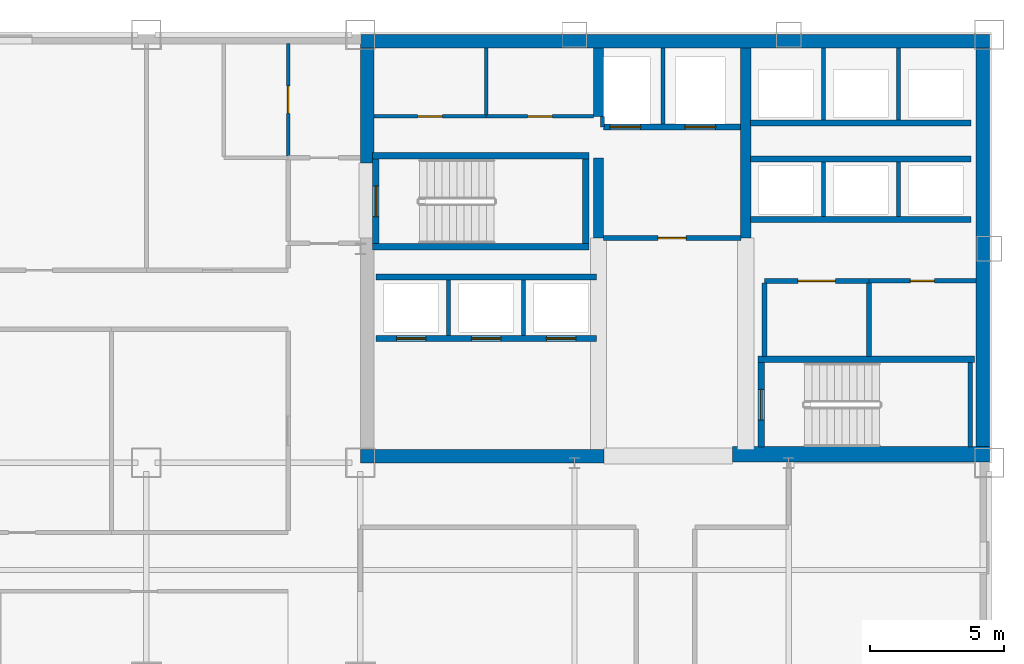
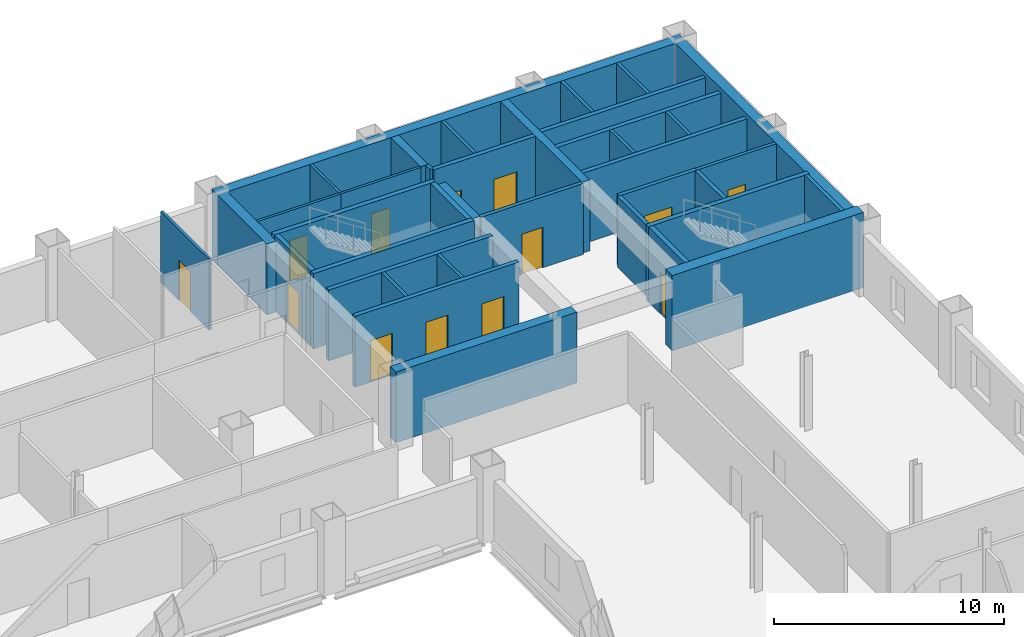
# One storey, part 7 of 10: 38 walls, 13 doors, 13 openings.
"""IFC4 building model written with IfcOpenShell, lengths in metres."""

from ifc_helpers import new_model, si_unit, direction, frame, frame_2d, origin, place, context, subcontext, project, spatial, rectangle, extrude, material, layer, layer_set, type_object, element, fill, save


model = new_model("IFC4")

# Units and contexts
model_context = context("Model", 3, precision=1e-05, world=origin(), true_north=direction((0.0, 1.0)))
body_context = subcontext(model_context, "Body", "Model", "MODEL_VIEW")
ifc_project = project(units=[si_unit("LENGTHUNIT", "METRE"), si_unit("AREAUNIT", "SQUARE_METRE"), si_unit("VOLUMEUNIT", "CUBIC_METRE"), si_unit("PLANEANGLEUNIT", "RADIAN"), si_unit("MASSUNIT", "GRAM", prefix="KILO")], contexts=[model_context])

# Site, building, storey
site_placement = place(None, origin())
site = spatial("IfcSite", under=ifc_project, at=site_placement, CompositionType="ELEMENT")
building_placement = place(site_placement, origin())
building = spatial("IfcBuilding", under=site, at=building_placement, Name="Qianrong Seaharbour Tower", CompositionType="ELEMENT")
storey_placement = place(building_placement, frame((0.0, 0.0, 135.0)))
storey = spatial("IfcBuildingStorey", under=building, at=storey_placement, Name="L32", CompositionType="ELEMENT", Elevation=135.0)

# Walls
ifc_material_1 = material(Name="Concrete C60/75", Category="concrete")
ifc_layer_1 = layer(ifc_material_1, 0.5)
ifc_layer_set_1 = layer_set([ifc_layer_1], Name="Concrete C60/75")
wall_type_1 = type_object("IfcWallType", Name="WALL-CORE-500", PredefinedType="SHEAR", material=ifc_layer_set_1)
wall_1_placement = place(storey_placement, frame((40.5, 51.75, 0.0), z_axis=(0.0, 0.0, 1.0), x_axis=(1.0, 0.0, 0.0)))
element("IfcWall", 1, at=wall_1_placement, inside=storey, type_object=wall_type_1, Name="L32 North Core Shear Wall", PredefinedType="SHEAR", context=body_context, shape_type="SweptSolid", body=[
    extrude(rectangle(XDim=23.5, YDim=0.5, at=frame_2d((11.75, 0.0))), origin(), (0.0, 0.0, 1.0), 3.764892578125),
])
wall_2_placement = place(storey_placement, frame((63.75, 36.320068359375, 0.0), z_axis=(0.0, 0.0, 1.0), x_axis=(0.0, 1.0, 0.0)))
element("IfcWall", 2, at=wall_2_placement, inside=storey, type_object=wall_type_1, Name="L32 East Core Shear Wall", PredefinedType="SHEAR", context=body_context, shape_type="SweptSolid", body=[
    extrude(rectangle(XDim=15.179931640625, YDim=0.5, at=frame_2d((7.58984375, 0.0))), origin(), (0.0, 0.0, 1.0), 3.764892578125),
])
wall_3_placement = place(storey_placement, frame((40.75, 47.199951171875, 0.0), z_axis=(0.0, 0.0, 1.0), x_axis=(0.0, 1.0, 0.0)))
element("IfcWall", 3, at=wall_3_placement, inside=storey, type_object=wall_type_1, Name="L32 West Core Shear Wall North", PredefinedType="SHEAR", context=body_context, shape_type="SweptSolid", body=[
    extrude(rectangle(XDim=4.300048828125, YDim=0.5, at=frame_2d((2.14990234375, 0.0))), origin(), (0.0, 0.0, 1.0), 3.764892578125),
])
wall_4_placement = place(storey_placement, frame((40.5, 36.25, 0.0), z_axis=(0.0, 0.0, 1.0), x_axis=(1.0, 0.0, 0.0)))
element("IfcWall", 4, at=wall_4_placement, inside=storey, type_object=wall_type_1, Name="L32 South Core Shear Wall S1", PredefinedType="SHEAR", context=body_context, shape_type="SweptSolid", body=[
    extrude(rectangle(XDim=9.10009765625, YDim=0.5, at=frame_2d((4.550048828125, 0.0))), origin(), (0.0, 0.0, 1.0), 3.764892578125),
])
ifc_material_2 = material(Name="Concrete C70/85", Category="concrete")
ifc_layer_2 = layer(ifc_material_2, 0.580078125)
ifc_layer_set_2 = layer_set([ifc_layer_2], Name="Concrete C70/85")
wall_type_2 = type_object("IfcWallType", Name="WALL-CORE-580", PredefinedType="SHEAR", material=ifc_layer_set_2)
wall_5_placement = place(storey_placement, frame((54.39990234375, 36.320068359375, 0.0), z_axis=(0.0, 0.0, 1.0), x_axis=(1.0, 0.0, 0.0)))
element("IfcWall", 5, at=wall_5_placement, inside=storey, type_object=wall_type_2, Name="L32 South Core Shear Wall S3", PredefinedType="SHEAR", context=body_context, shape_type="SweptSolid", body=[
    extrude(rectangle(XDim=9.60009765625, YDim=0.580078125, at=frame_2d((4.800048828125, 0.0))), origin(), (0.0, 0.0, 1.0), 4.0),
])
ifc_layer_3 = layer(ifc_material_1, 0.3798828125)
ifc_layer_set_3 = layer_set([ifc_layer_3], Name="Concrete C60/75")
wall_type_3 = type_object("IfcWallType", Name="WALL-CORE-INT-380", PredefinedType="SHEAR", material=ifc_layer_set_3)
wall_6_placement = place(storey_placement, frame((49.39990234375, 44.39990234375, 0.0), z_axis=(0.0, 0.0, 1.0), x_axis=(0.0, 1.0, 0.0)))
element("IfcWall", 6, at=wall_6_placement, inside=storey, type_object=wall_type_3, Name="L32 Internal Core Shear Wall IW1N1", PredefinedType="SHEAR", context=body_context, shape_type="SweptSolid", body=[
    extrude(rectangle(XDim=3.0, YDim=0.3798828125, at=frame_2d((1.5, 0.0))), origin(), (0.0, 0.0, 1.0), 3.764892578125),
])
wall_7_placement = place(storey_placement, frame((49.39990234375, 48.949951171875, 0.0), z_axis=(0.0, 0.0, 1.0), x_axis=(0.0, 1.0, 0.0)))
element("IfcWall", 7, at=wall_7_placement, inside=storey, type_object=wall_type_3, Name="L32 Internal Core Shear Wall IW1N2", PredefinedType="SHEAR", context=body_context, shape_type="SweptSolid", body=[
    extrude(rectangle(XDim=2.550048828125, YDim=0.3798828125, at=frame_2d((1.27490234375, 0.0))), origin(), (0.0, 0.0, 1.0), 3.764892578125),
])
wall_8_placement = place(storey_placement, frame((54.89990234375, 44.39990234375, 0.0), z_axis=(0.0, 0.0, 1.0), x_axis=(0.0, 1.0, 0.0)))
element("IfcWall", 8, at=wall_8_placement, inside=storey, type_object=wall_type_3, Name="L32 Internal Core Shear Wall IW2N", PredefinedType="SHEAR", context=body_context, shape_type="SweptSolid", body=[
    extrude(rectangle(XDim=7.10009765625, YDim=0.3798828125, at=frame_2d((3.550048828125, 0.0))), origin(), (0.0, 0.0, 1.0), 3.764892578125),
])

# Wall, opening, door
ifc_material_3 = material(Name="Fire-rated acoustic gypsum board partition")
ifc_layer_4 = layer(ifc_material_3, 0.1650390625)
ifc_layer_set_4 = layer_set([ifc_layer_4], Name="Fire-rated acoustic gypsum board partition")
wall_type_4 = type_object("IfcWallType", Name="WALL-CORR-PART-165", PredefinedType="PARTITIONING", material=ifc_layer_set_4)
wall_9_placement = place(storey_placement, frame((63.5, 42.800048828125, 0.0), z_axis=(0.0, 0.0, 1.0), x_axis=(-1.0, 0.0, 0.0)))
wall_9 = element("IfcWall", 9, at=wall_9_placement, inside=storey, type_object=wall_type_4, Name="L32 Interior Partition Wall 012", PredefinedType="PARTITIONING", context=body_context, shape_type="SweptSolid", body=[
    extrude(rectangle(XDim=4.0, YDim=0.1650390625, at=frame_2d((2.0, 0.0))), origin(), (0.0, 0.0, 1.0), 3.764892578125),
])
opening_1_placement = place(wall_9_placement, frame((1.550048828125, 0.0, 0.0)))
opening_1 = element("IfcOpeningElement", 10, at=opening_1_placement, cuts=wall_9, Name="Opening DS-01", PredefinedType="OPENING", context=body_context, shape_type="SweptSolid", body=[
    extrude(rectangle(XDim=0.89990234375, YDim=2.14990234375, at=frame_2d((0.449951171875, 1.074951171875))), frame((0.0, 0.092529296875, 0.0), z_axis=(0.0, -1.0, 0.0), x_axis=(1.0, 0.0, 0.0)), (0.0, 0.0, 1.0), 0.18505859375),
])
ifc_material_4 = material(Name="Acoustic timber and galvanized steel fire door assembly", Category="steel")
door_type_1 = type_object("IfcDoorType", Name="DOOR-STORE-900x2150", OperationType="NOTDEFINED", PredefinedType="DOOR", material=ifc_material_4)
door_1_placement = place(opening_1_placement, origin())
door_1 = element("IfcDoor", 11, at=door_1_placement, inside=storey, type_object=door_type_1, Name="L32 Cleaner Store Room Door", OperationType="SINGLE_SWING_LEFT", OverallHeight=2.14990234375, OverallWidth=0.89990234375, PredefinedType="DOOR", context=body_context, shape_type="SweptSolid", body=[
    extrude(rectangle(XDim=0.89990234375, YDim=2.14990234375, at=frame_2d((0.449951171875, 1.074951171875))), frame((0.0, 0.02490234375, 0.0), z_axis=(0.0, -1.0, 0.0), x_axis=(1.0, 0.0, 0.0)), (0.0, 0.0, 1.0), 0.050048828125),
])
fill(opening_1, door_1)

ifc_material_5 = material(Name="Double fire-rated gypsum board acoustic partition")
ifc_layer_5 = layer(ifc_material_5, 0.18994140625)
ifc_layer_set_5 = layer_set([ifc_layer_5], Name="Double fire-rated gypsum board acoustic partition")
wall_type_5 = type_object("IfcWallType", Name="WALL-FIRE-PART-190", PredefinedType="PARTITIONING", material=ifc_layer_set_5)
wall_10_placement = place(storey_placement, frame((54.718017578125, 44.39990234375, 0.0), z_axis=(0.0, 0.0, 1.0), x_axis=(-1.0, 0.0, 0.0)))
wall_10 = element("IfcWall", 12, at=wall_10_placement, inside=storey, type_object=wall_type_5, Name="L32 Interior Partition Wall 009", PredefinedType="PARTITIONING", context=body_context, shape_type="SweptSolid", body=[
    extrude(rectangle(XDim=5.135986328125, YDim=0.18994140625, at=frame_2d((2.56787109375, 0.0))), origin(), (0.0, 0.0, 1.0), 3.764892578125),
])
opening_2_placement = place(wall_10_placement, frame((2.04296875, 0.0, 0.0)))
opening_2 = element("IfcOpeningElement", 13, at=opening_2_placement, cuts=wall_10, Name="Opening DC-01", PredefinedType="OPENING", context=body_context, shape_type="SweptSolid", body=[
    extrude(rectangle(XDim=1.050048828125, YDim=2.14990234375, at=frame_2d((0.52490234375, 1.074951171875))), frame((0.0, 0.10498046875, 0.0), z_axis=(0.0, -1.0, 0.0), x_axis=(1.0, 0.0, 0.0)), (0.0, 0.0, 1.0), 0.2099609375),
])
door_type_2 = type_object("IfcDoorType", Name="DOOR-CORR-FD60-1050x2150", OperationType="NOTDEFINED", PredefinedType="DOOR", material=ifc_material_4)
door_2_placement = place(opening_2_placement, origin())
door_2 = element("IfcDoor", 14, at=door_2_placement, inside=storey, type_object=door_type_2, Name="L32 Firefighting Lift Lobby Door", OperationType="SINGLE_SWING_RIGHT", OverallHeight=2.14990234375, OverallWidth=1.050048828125, PredefinedType="DOOR", context=body_context, shape_type="SweptSolid", body=[
    extrude(rectangle(XDim=1.050048828125, YDim=2.14990234375, at=frame_2d((0.52490234375, 1.074951171875))), frame((0.0, 0.02490234375, 0.0), z_axis=(0.0, -1.0, 0.0), x_axis=(1.0, 0.0, 0.0)), (0.0, 0.0, 1.0), 0.050048828125),
])
fill(opening_2, door_2)

# Wall
wall_11_placement = place(storey_placement, frame((55.60009765625, 42.712890625, 0.0), z_axis=(0.0, 0.0, 1.0), x_axis=(0.0, -1.0, 0.0)))
element("IfcWall", 15, at=wall_11_placement, inside=storey, type_object=wall_type_5, Name="L32 Interior Partition Wall 010", PredefinedType="PARTITIONING", context=body_context, shape_type="SweptSolid", body=[
    extrude(rectangle(XDim=2.73095703125, YDim=0.18994140625, at=frame_2d((1.365478515625, 0.0))), origin(), (0.0, 0.0, 1.0), 3.764892578125),
])

# Wall, opening, door
wall_12_placement = place(storey_placement, frame((59.5, 42.800048828125, 0.0), z_axis=(0.0, 0.0, 1.0), x_axis=(-1.0, 0.0, 0.0)))
wall_12 = element("IfcWall", 16, at=wall_12_placement, inside=storey, type_object=wall_type_5, Name="L32 Interior Partition Wall 011", PredefinedType="PARTITIONING", context=body_context, shape_type="SweptSolid", body=[
    extrude(rectangle(XDim=3.89990234375, YDim=0.18994140625, at=frame_2d((1.949951171875, 0.0))), origin(), (0.0, 0.0, 1.0), 3.764892578125),
])
opening_3_placement = place(wall_12_placement, frame((1.25, 0.0, 0.0)))
opening_3 = element("IfcOpeningElement", 17, at=opening_3_placement, cuts=wall_12, Name="Opening DP-01", PredefinedType="OPENING", context=body_context, shape_type="SweptSolid", body=[
    extrude(rectangle(XDim=1.39990234375, YDim=2.25, at=frame_2d((0.699951171875, 1.125))), frame((0.0, 0.10498046875, 0.0), z_axis=(0.0, -1.0, 0.0), x_axis=(1.0, 0.0, 0.0)), (0.0, 0.0, 1.0), 0.2099609375),
])
door_type_3 = type_object("IfcDoorType", Name="DOOR-PLANT-PAIR-1400x2250", OperationType="DOUBLE_DOOR_SINGLE_SWING", PredefinedType="DOOR", material=ifc_material_4)
door_3_placement = place(opening_3_placement, origin())
door_3 = element("IfcDoor", 18, at=door_3_placement, inside=storey, type_object=door_type_3, Name="L32 Electrical Substation Door", OperationType="DOUBLE_DOOR_SINGLE_SWING", OverallHeight=2.25, OverallWidth=1.39990234375, PredefinedType="DOOR", context=body_context, shape_type="SweptSolid", body=[
    extrude(rectangle(XDim=1.39990234375, YDim=2.25, at=frame_2d((0.699951171875, 1.125))), frame((0.0, 0.02490234375, 0.0), z_axis=(0.0, -1.0, 0.0), x_axis=(1.0, 0.0, 0.0)), (0.0, 0.0, 1.0), 0.050048828125),
])
fill(opening_3, door_3)

# Walls
wall_13_placement = place(storey_placement, frame((59.5, 42.712890625, 0.0), z_axis=(0.0, 0.0, 1.0), x_axis=(0.0, -1.0, 0.0)))
element("IfcWall", 19, at=wall_13_placement, inside=storey, type_object=wall_type_5, Name="L32 Interior Partition Wall 014", PredefinedType="PARTITIONING", context=body_context, shape_type="SweptSolid", body=[
    extrude(rectangle(XDim=2.73095703125, YDim=0.18994140625, at=frame_2d((1.365478515625, 0.0))), origin(), (0.0, 0.0, 1.0), 3.764892578125),
])
ifc_material_6 = material(Name="Fire-rated gypsum board on steel studs", Category="steel")
ifc_layer_6 = layer(ifc_material_6, 0.14990234375)
ifc_layer_set_6 = layer_set([ifc_layer_6], Name="Fire-rated gypsum board on steel studs")
wall_type_6 = type_object("IfcWallType", Name="WALL-SHAFT-DIV-150", PredefinedType="PARTITIONING", material=ifc_layer_set_6)
wall_14_placement = place(storey_placement, frame((51.800048828125, 48.669921875, 0.0), z_axis=(0.0, 0.0, 1.0), x_axis=(0.0, 1.0, 0.0)))
element("IfcWall", 20, at=wall_14_placement, inside=storey, type_object=wall_type_6, Name="L32 Firefighting Lift Shaft Divider Wall", PredefinedType="PARTITIONING", context=body_context, shape_type="SweptSolid", body=[
    extrude(rectangle(XDim=2.830078125, YDim=0.14990234375, at=frame_2d((1.4150390625, 0.0))), origin(), (0.0, 0.0, 1.0), 3.764892578125),
])
wall_15_placement = place(storey_placement, frame((49.550048828125, 48.550048828125, 0.0), z_axis=(0.0, 0.0, 1.0), x_axis=(0.0, 1.0, 0.0)))
element("IfcWall", 21, at=wall_15_placement, inside=storey, type_object=wall_type_6, Name="L32 Firefighting Lift Shaft West Return Wall", PredefinedType="PARTITIONING", context=body_context, shape_type="SweptSolid", body=[
    extrude(rectangle(XDim=0.39990234375, YDim=0.14990234375, at=frame_2d((0.199951171875, 0.0))), origin(), (0.0, 0.0, 1.0), 3.764892578125),
])
for number, where, z_axis, x_axis, name in (
    (22, (43.800048828125, 40.760009765625, 0.0), (0.0, 0.0, 1.0), (0.0, 1.0, 0.0), "L32 P2 Lift Hoistway Divider 2"),
    (23, (46.60009765625, 40.760009765625, 0.0), (0.0, 0.0, 1.0), (0.0, 1.0, 0.0), "L32 P2 Lift Hoistway Divider 3"),
):
    element("IfcWall", number, at=place(storey_placement, frame(where, z_axis=z_axis, x_axis=x_axis)), inside=storey, type_object=wall_type_6, Name=name, PredefinedType="PARTITIONING", context=body_context, shape_type="SweptSolid", body=[
        extrude(rectangle(XDim=2.080078125, YDim=0.14990234375, at=frame_2d((1.0400390625, 0.0))), origin(), (0.0, 0.0, 1.0), 3.764892578125),
    ])
for number, where, z_axis, x_axis, name in (
    (24, (57.800048828125, 45.2099609375, 0.0), (0.0, 0.0, 1.0), (0.0, 1.0, 0.0), "L32 P3 Lift Hoistway Divider 2"),
    (25, (60.60009765625, 45.2099609375, 0.0), (0.0, 0.0, 1.0), (0.0, 1.0, 0.0), "L32 P3 Lift Hoistway Divider 3"),
):
    element("IfcWall", number, at=place(storey_placement, frame(where, z_axis=z_axis, x_axis=x_axis)), inside=storey, type_object=wall_type_6, Name=name, PredefinedType="PARTITIONING", context=body_context, shape_type="SweptSolid", body=[
        extrude(rectangle(XDim=2.030029296875, YDim=0.14990234375, at=frame_2d((1.01513671875, 0.0))), origin(), (0.0, 0.0, 1.0), 3.764892578125),
    ])
for number, where, z_axis, x_axis, name in (
    (26, (57.800048828125, 48.81005859375, 0.0), (0.0, 0.0, 1.0), (0.0, 1.0, 0.0), "L32 P4 Lift Hoistway Divider 2"),
    (27, (60.60009765625, 48.81005859375, 0.0), (0.0, 0.0, 1.0), (0.0, 1.0, 0.0), "L32 P4 Lift Hoistway Divider 3"),
):
    element("IfcWall", number, at=place(storey_placement, frame(where, z_axis=z_axis, x_axis=x_axis)), inside=storey, type_object=wall_type_6, Name=name, PredefinedType="PARTITIONING", context=body_context, shape_type="SweptSolid", body=[
        extrude(rectangle(XDim=2.68994140625, YDim=0.14990234375, at=frame_2d((1.344970703125, 0.0))), origin(), (0.0, 0.0, 1.0), 3.764892578125),
    ])

# Wall, openings, doors
ifc_layer_7 = layer(ifc_material_6, 0.219970703125)
ifc_layer_set_7 = layer_set([ifc_layer_7], Name="Fire-rated gypsum board on steel studs")
wall_type_7 = type_object("IfcWallType", Name="WALL-SHAFT-GYP220", PredefinedType="PARTITIONING", material=ifc_layer_set_7)
wall_16_placement = place(storey_placement, frame((54.7099609375, 48.550048828125, 0.0), z_axis=(0.0, 0.0, 1.0), x_axis=(-1.0, 0.0, 0.0)))
wall_16 = element("IfcWall", 28, at=wall_16_placement, inside=storey, type_object=wall_type_7, Name="L32 Firefighting Lift Shaft Front Wall", PredefinedType="PARTITIONING", context=body_context, shape_type="SweptSolid", body=[
    extrude(rectangle(XDim=5.119873046875, YDim=0.219970703125, at=frame_2d((2.56005859375, 0.0))), origin(), (0.0, 0.0, 1.0), 3.764892578125),
])
opening_4_placement = place(wall_16_placement, frame((3.735107421875, 0.0, 0.0)))
opening_4 = element("IfcOpeningElement", 29, at=opening_4_placement, cuts=wall_16, Name="Opening LD-01", PredefinedType="OPENING", context=body_context, shape_type="SweptSolid", body=[
    extrude(rectangle(XDim=1.14990234375, YDim=2.199951171875, at=frame_2d((0.574951171875, 1.10009765625))), frame((0.0, 0.1201171875, 0.0), z_axis=(0.0, -1.0, 0.0), x_axis=(1.0, 0.0, 0.0)), (0.0, 0.0, 1.0), 0.239990234375),
])
opening_5_placement = place(wall_16_placement, frame((0.93505859375, 0.0, 0.0)))
opening_5 = element("IfcOpeningElement", 30, at=opening_5_placement, cuts=wall_16, Name="Opening LD-01", PredefinedType="OPENING", context=body_context, shape_type="SweptSolid", body=[
    extrude(rectangle(XDim=1.14990234375, YDim=2.199951171875, at=frame_2d((0.574951171875, 1.10009765625))), frame((0.0, 0.1201171875, 0.0), z_axis=(0.0, -1.0, 0.0), x_axis=(1.0, 0.0, 0.0)), (0.0, 0.0, 1.0), 0.239990234375),
])
ifc_material_7 = material(Name="Stainless steel SUS316L bi-parting lift landing door", Category="steel")
door_type_4 = type_object("IfcDoorType", Name="DOOR-LIFT-FF-1150x2200", OperationType="DOUBLE_DOOR_SLIDING", PredefinedType="DOOR", material=ifc_material_7)
door_4_placement = place(opening_4_placement, origin())
door_4 = element("IfcDoor", 31, at=door_4_placement, inside=storey, type_object=door_type_4, Name="L32 FL-1 Firefighting Lift Landing Door", OperationType="DOUBLE_DOOR_SLIDING", OverallHeight=2.199951171875, OverallWidth=1.14990234375, PredefinedType="DOOR", context=body_context, shape_type="SweptSolid", body=[
    extrude(rectangle(XDim=1.14990234375, YDim=2.199951171875, at=frame_2d((0.574951171875, 1.10009765625))), frame((0.0, 0.02490234375, 0.0), z_axis=(0.0, -1.0, 0.0), x_axis=(1.0, 0.0, 0.0)), (0.0, 0.0, 1.0), 0.050048828125),
])
fill(opening_4, door_4)
door_5_placement = place(opening_5_placement, origin())
door_5 = element("IfcDoor", 32, at=door_5_placement, inside=storey, type_object=door_type_4, Name="L32 FL-2 Firefighting Lift Landing Door", OperationType="DOUBLE_DOOR_SLIDING", OverallHeight=2.199951171875, OverallWidth=1.14990234375, PredefinedType="DOOR", context=body_context, shape_type="SweptSolid", body=[
    extrude(rectangle(XDim=1.14990234375, YDim=2.199951171875, at=frame_2d((0.574951171875, 1.10009765625))), frame((0.0, 0.02490234375, 0.0), z_axis=(0.0, -1.0, 0.0), x_axis=(1.0, 0.0, 0.0)), (0.0, 0.0, 1.0), 0.050048828125),
])
fill(opening_5, door_5)

wall_17_placement = place(storey_placement, frame((49.320068359375, 40.64990234375, 0.0), z_axis=(0.0, 0.0, 1.0), x_axis=(-1.0, 0.0, 0.0)))
wall_17 = element("IfcWall", 33, at=wall_17_placement, inside=storey, type_object=wall_type_7, Name="L32 P2 Lift Hoistway Front Wall", PredefinedType="PARTITIONING", context=body_context, shape_type="SweptSolid", body=[
    extrude(rectangle(XDim=8.239990234375, YDim=0.219970703125, at=frame_2d((4.1201171875, 0.0))), origin(), (0.0, 0.0, 1.0), 3.764892578125),
])
opening_6_placement = place(wall_17_placement, frame((6.3701171875, 0.0, 0.0)))
opening_6 = element("IfcOpeningElement", 34, at=opening_6_placement, cuts=wall_17, Name="Opening LD-02", PredefinedType="OPENING", context=body_context, shape_type="SweptSolid", body=[
    extrude(rectangle(XDim=1.10009765625, YDim=2.199951171875, at=frame_2d((0.550048828125, 1.10009765625))), frame((0.0, 0.1201171875, 0.0), z_axis=(0.0, -1.0, 0.0), x_axis=(1.0, 0.0, 0.0)), (0.0, 0.0, 1.0), 0.239990234375),
])
opening_7_placement = place(wall_17_placement, frame((3.570068359375, 0.0, 0.0)))
opening_7 = element("IfcOpeningElement", 35, at=opening_7_placement, cuts=wall_17, Name="Opening LD-02", PredefinedType="OPENING", context=body_context, shape_type="SweptSolid", body=[
    extrude(rectangle(XDim=1.10009765625, YDim=2.199951171875, at=frame_2d((0.550048828125, 1.10009765625))), frame((0.0, 0.1201171875, 0.0), z_axis=(0.0, -1.0, 0.0), x_axis=(1.0, 0.0, 0.0)), (0.0, 0.0, 1.0), 0.239990234375),
])
opening_8_placement = place(wall_17_placement, frame((0.77001953125, 0.0, 0.0)))
opening_8 = element("IfcOpeningElement", 36, at=opening_8_placement, cuts=wall_17, Name="Opening LD-02", PredefinedType="OPENING", context=body_context, shape_type="SweptSolid", body=[
    extrude(rectangle(XDim=1.10009765625, YDim=2.199951171875, at=frame_2d((0.550048828125, 1.10009765625))), frame((0.0, 0.1201171875, 0.0), z_axis=(0.0, -1.0, 0.0), x_axis=(1.0, 0.0, 0.0)), (0.0, 0.0, 1.0), 0.239990234375),
])
door_type_5 = type_object("IfcDoorType", Name="DOOR-LIFT-PASS-1100x2200", OperationType="DOUBLE_DOOR_SLIDING", PredefinedType="DOOR", material=ifc_material_7)
door_6_placement = place(opening_6_placement, origin())
door_6 = element("IfcDoor", 37, at=door_6_placement, inside=storey, type_object=door_type_5, Name="L32 PL-2A Lift Landing Door", OperationType="DOUBLE_DOOR_SLIDING", OverallHeight=2.199951171875, OverallWidth=1.10009765625, PredefinedType="DOOR", context=body_context, shape_type="SweptSolid", body=[
    extrude(rectangle(XDim=1.10009765625, YDim=2.199951171875, at=frame_2d((0.550048828125, 1.10009765625))), frame((0.0, 0.02490234375, 0.0), z_axis=(0.0, -1.0, 0.0), x_axis=(1.0, 0.0, 0.0)), (0.0, 0.0, 1.0), 0.050048828125),
])
fill(opening_6, door_6)
door_7_placement = place(opening_7_placement, origin())
door_7 = element("IfcDoor", 38, at=door_7_placement, inside=storey, type_object=door_type_5, Name="L32 PL-2B Lift Landing Door", OperationType="DOUBLE_DOOR_SLIDING", OverallHeight=2.199951171875, OverallWidth=1.10009765625, PredefinedType="DOOR", context=body_context, shape_type="SweptSolid", body=[
    extrude(rectangle(XDim=1.10009765625, YDim=2.199951171875, at=frame_2d((0.550048828125, 1.10009765625))), frame((0.0, 0.02490234375, 0.0), z_axis=(0.0, -1.0, 0.0), x_axis=(1.0, 0.0, 0.0)), (0.0, 0.0, 1.0), 0.050048828125),
])
fill(opening_7, door_7)
door_8_placement = place(opening_8_placement, origin())
door_8 = element("IfcDoor", 39, at=door_8_placement, inside=storey, type_object=door_type_5, Name="L32 PL-2C Lift Landing Door", OperationType="DOUBLE_DOOR_SLIDING", OverallHeight=2.199951171875, OverallWidth=1.10009765625, PredefinedType="DOOR", context=body_context, shape_type="SweptSolid", body=[
    extrude(rectangle(XDim=1.10009765625, YDim=2.199951171875, at=frame_2d((0.550048828125, 1.10009765625))), frame((0.0, 0.02490234375, 0.0), z_axis=(0.0, -1.0, 0.0), x_axis=(1.0, 0.0, 0.0)), (0.0, 0.0, 1.0), 0.050048828125),
])
fill(opening_8, door_8)

# Walls
for number, where, z_axis, x_axis, name in (
    (40, (41.080078125, 42.949951171875, 0.0), (0.0, 0.0, 1.0), (1.0, 0.0, 0.0), "L32 P2 Lift Hoistway Back Wall"),
    (41, (63.320068359375, 45.10009765625, 0.0), (0.0, 0.0, 1.0), (-1.0, 0.0, 0.0), "L32 P3 Lift Hoistway Front Wall"),
    (42, (55.080078125, 47.35009765625, 0.0), (0.0, 0.0, 1.0), (1.0, 0.0, 0.0), "L32 P3 Lift Hoistway Back Wall"),
    (43, (63.320068359375, 48.699951171875, 0.0), (0.0, 0.0, 1.0), (-1.0, 0.0, 0.0), "L32 P4 Lift Hoistway Front Wall"),
):
    element("IfcWall", number, at=place(storey_placement, frame(where, z_axis=z_axis, x_axis=x_axis)), inside=storey, type_object=wall_type_7, Name=name, PredefinedType="PARTITIONING", context=body_context, shape_type="SweptSolid", body=[
        extrude(rectangle(XDim=8.239990234375, YDim=0.219970703125, at=frame_2d((4.1201171875, 0.0))), origin(), (0.0, 0.0, 1.0), 3.764892578125),
    ])
ifc_material_8 = material(Name="Concrete C50/60", Category="concrete")
ifc_layer_8 = layer(ifc_material_8, 0.239990234375)
ifc_layer_set_8 = layer_set([ifc_layer_8], Name="Concrete C50/60")
wall_type_8 = type_object("IfcWallType", Name="WALL-SHAFT-RC240", PredefinedType="SOLIDWALL", material=ifc_layer_set_8)
for number, where, z_axis, x_axis, name in (
    (44, (40.9599609375, 47.469970703125, 0.0), (0.0, 0.0, 1.0), (1.0, 0.0, 0.0), "L32 ST-1 Structural Stair Core Wall N"),
    (45, (49.0400390625, 44.080078125, 0.0), (0.0, 0.0, 1.0), (-1.0, 0.0, 0.0), "L32 ST-1 Structural Stair Core Wall S"),
):
    element("IfcWall", number, at=place(storey_placement, frame(where, z_axis=z_axis, x_axis=x_axis)), inside=storey, type_object=wall_type_8, Name=name, PredefinedType="SOLIDWALL", context=body_context, shape_type="SweptSolid", body=[
        extrude(rectangle(XDim=8.080078125, YDim=0.239990234375, at=frame_2d((4.0400390625, 0.0))), origin(), (0.0, 0.0, 1.0), 4.0),
    ])

# Wall, opening, door
wall_18_placement = place(storey_placement, frame((41.080078125, 47.35009765625, 0.0), z_axis=(0.0, 0.0, 1.0), x_axis=(0.0, -1.0, 0.0)))
wall_18 = element("IfcWall", 46, at=wall_18_placement, inside=storey, type_object=wall_type_8, Name="L32 ST-1 Structural Stair Core Wall W", PredefinedType="SOLIDWALL", context=body_context, shape_type="SweptSolid", body=[
    extrude(rectangle(XDim=3.150146484375, YDim=0.239990234375, at=frame_2d((1.5751953125, 0.0))), origin(), (0.0, 0.0, 1.0), 4.0),
])
opening_9_placement = place(wall_18_placement, frame((1.0, 0.0, 0.0)))
opening_9 = element("IfcOpeningElement", 47, at=opening_9_placement, cuts=wall_18, Name="Opening SD-01", PredefinedType="OPENING", context=body_context, shape_type="SweptSolid", body=[
    extrude(rectangle(XDim=1.14990234375, YDim=2.199951171875, at=frame_2d((0.574951171875, 1.10009765625))), frame((0.0, 0.1298828125, 0.0), z_axis=(0.0, -1.0, 0.0), x_axis=(1.0, 0.0, 0.0)), (0.0, 0.0, 1.0), 0.260009765625),
])
door_type_6 = type_object("IfcDoorType", Name="DOOR-STAIR-FD60-1150x2200", OperationType="NOTDEFINED", PredefinedType="DOOR", material=ifc_material_4)
door_9_placement = place(opening_9_placement, origin())
door_9 = element("IfcDoor", 48, at=door_9_placement, inside=storey, type_object=door_type_6, Name="L32 ST-1 Protected Stair Door", OperationType="SINGLE_SWING_LEFT", OverallHeight=2.199951171875, OverallWidth=1.14990234375, PredefinedType="DOOR", context=body_context, shape_type="SweptSolid", body=[
    extrude(rectangle(XDim=1.14990234375, YDim=2.199951171875, at=frame_2d((0.574951171875, 1.10009765625))), frame((0.0, 0.02490234375, 0.0), z_axis=(0.0, -1.0, 0.0), x_axis=(1.0, 0.0, 0.0)), (0.0, 0.0, 1.0), 0.050048828125),
])
fill(opening_9, door_9)

# Walls
wall_19_placement = place(storey_placement, frame((48.919921875, 44.199951171875, 0.0), z_axis=(0.0, 0.0, 1.0), x_axis=(0.0, 1.0, 0.0)))
element("IfcWall", 49, at=wall_19_placement, inside=storey, type_object=wall_type_8, Name="L32 ST-1 Structural Stair Core Wall E", PredefinedType="SOLIDWALL", context=body_context, shape_type="SweptSolid", body=[
    extrude(rectangle(XDim=3.150146484375, YDim=0.239990234375, at=frame_2d((1.5751953125, 0.0))), origin(), (0.0, 0.0, 1.0), 4.0),
])
wall_20_placement = place(storey_placement, frame((55.360107421875, 39.8701171875, 0.0), z_axis=(0.0, 0.0, 1.0), x_axis=(1.0, 0.0, 0.0)))
element("IfcWall", 50, at=wall_20_placement, inside=storey, type_object=wall_type_8, Name="L32 ST-2 Structural Stair Core Wall N", PredefinedType="SOLIDWALL", context=body_context, shape_type="SweptSolid", body=[
    extrude(rectangle(XDim=8.079833984375, YDim=0.239990234375, at=frame_2d((4.0400390625, 0.0))), origin(), (0.0, 0.0, 1.0), 4.0),
])

# Wall, opening, door
wall_21_placement = place(storey_placement, frame((55.47998046875, 39.75, 0.0), z_axis=(0.0, 0.0, 1.0), x_axis=(0.0, -1.0, 0.0)))
wall_21 = element("IfcWall", 51, at=wall_21_placement, inside=storey, type_object=wall_type_8, Name="L32 ST-2 Structural Stair Core Wall W", PredefinedType="SOLIDWALL", context=body_context, shape_type="SweptSolid", body=[
    extrude(rectangle(XDim=3.14990234375, YDim=0.239990234375, at=frame_2d((1.574951171875, 0.0))), origin(), (0.0, 0.0, 1.0), 4.0),
])
opening_10_placement = place(wall_21_placement, frame((1.0, 0.0, 0.0)))
opening_10 = element("IfcOpeningElement", 52, at=opening_10_placement, cuts=wall_21, Name="Opening SD-01", PredefinedType="OPENING", context=body_context, shape_type="SweptSolid", body=[
    extrude(rectangle(XDim=1.14990234375, YDim=2.199951171875, at=frame_2d((0.574951171875, 1.10009765625))), frame((0.0, 0.1298828125, 0.0), z_axis=(0.0, -1.0, 0.0), x_axis=(1.0, 0.0, 0.0)), (0.0, 0.0, 1.0), 0.260009765625),
])
door_10_placement = place(opening_10_placement, origin())
door_10 = element("IfcDoor", 53, at=door_10_placement, inside=storey, type_object=door_type_6, Name="L32 ST-2 Protected Stair Door", OperationType="SINGLE_SWING_LEFT", OverallHeight=2.199951171875, OverallWidth=1.14990234375, PredefinedType="DOOR", context=body_context, shape_type="SweptSolid", body=[
    extrude(rectangle(XDim=1.14990234375, YDim=2.199951171875, at=frame_2d((0.574951171875, 1.10009765625))), frame((0.0, 0.02490234375, 0.0), z_axis=(0.0, -1.0, 0.0), x_axis=(1.0, 0.0, 0.0)), (0.0, 0.0, 1.0), 0.050048828125),
])
fill(opening_10, door_10)

# Wall
wall_22_placement = place(storey_placement, frame((63.2900390625, 36.60009765625, 0.0), z_axis=(0.0, 0.0, 1.0), x_axis=(0.0, 1.0, 0.0)))
element("IfcWall", 54, at=wall_22_placement, inside=storey, type_object=wall_type_8, Name="L32 ST-2 Structural Stair Core Wall E", PredefinedType="SOLIDWALL", context=body_context, shape_type="SweptSolid", body=[
    extrude(rectangle(XDim=3.14990234375, YDim=0.179931640625, at=frame_2d((1.574951171875, 0.0))), origin(), (0.0, 0.0, 1.0), 4.0),
])

# Wall, opening, door
ifc_material_9 = material(Name="Water-resistant cement board sanitary partition")
ifc_layer_9 = layer(ifc_material_9, 0.1298828125)
ifc_layer_set_9 = layer_set([ifc_layer_9], Name="Water-resistant cement board sanitary partition")
wall_type_9 = type_object("IfcWallType", Name="WALL-WET-PART-130", PredefinedType="PARTITIONING", material=ifc_layer_set_9)
wall_23_placement = place(storey_placement, frame((37.800048828125, 47.474609375, 0.0), z_axis=(0.0, 0.0, 1.0), x_axis=(0.0, 1.0, 0.0)))
wall_23 = element("IfcWall", 55, at=wall_23_placement, inside=storey, type_object=wall_type_9, Name="L32 Interior Partition Wall 004", PredefinedType="PARTITIONING", context=body_context, shape_type="SweptSolid", body=[
    extrude(rectangle(XDim=4.193359375, YDim=0.1298828125, at=frame_2d((2.0966796875, 0.0))), origin(), (0.0, 0.0, 1.0), 3.764892578125),
])
opening_11_placement = place(wall_23_placement, frame((1.5869140625, 0.0, 0.0)))
opening_11 = element("IfcOpeningElement", 56, at=opening_11_placement, cuts=wall_23, Name="Opening DAW-01", PredefinedType="OPENING", context=body_context, shape_type="SweptSolid", body=[
    extrude(rectangle(XDim=1.02001953125, YDim=2.14990234375, at=frame_2d((0.510009765625, 1.074951171875))), frame((0.0, 0.074951171875, 0.0), z_axis=(0.0, -1.0, 0.0), x_axis=(1.0, 0.0, 0.0)), (0.0, 0.0, 1.0), 0.14990234375),
])
door_type_7 = type_object("IfcDoorType", Name="DOOR-AWC-SLIDE-1020x2150", OperationType="SLIDING_TO_LEFT", PredefinedType="DOOR", material=ifc_material_4)
door_11_placement = place(opening_11_placement, origin())
door_11 = element("IfcDoor", 57, at=door_11_placement, inside=storey, type_object=door_type_7, Name="L32 Accessible Restroom WC Door", OperationType="SLIDING_TO_LEFT", OverallHeight=2.14990234375, OverallWidth=1.02001953125, PredefinedType="DOOR", context=body_context, shape_type="SweptSolid", body=[
    extrude(rectangle(XDim=1.02001953125, YDim=2.14990234375, at=frame_2d((0.510009765625, 1.074951171875))), frame((0.0, 0.02490234375, 0.0), z_axis=(0.0, -1.0, 0.0), x_axis=(1.0, 0.0, 0.0)), (0.0, 0.0, 1.0), 0.050048828125),
])
fill(opening_11, door_11)

wall_24_placement = place(storey_placement, frame((41.0, 48.949951171875, 0.0), z_axis=(0.0, 0.0, 1.0), x_axis=(1.0, 0.0, 0.0)))
wall_24 = element("IfcWall", 58, at=wall_24_placement, inside=storey, type_object=wall_type_9, Name="L32 Interior Partition Wall 007", PredefinedType="PARTITIONING", context=body_context, shape_type="SweptSolid", body=[
    extrude(rectangle(XDim=4.199951171875, YDim=0.1298828125, at=frame_2d((2.10009765625, 0.0))), origin(), (0.0, 0.0, 1.0), 3.764892578125),
])
opening_12_placement = place(wall_24_placement, frame((1.639892578125, 0.0, 0.0)))
opening_12 = element("IfcOpeningElement", 59, at=opening_12_placement, cuts=wall_24, Name="Opening DW-01", PredefinedType="OPENING", context=body_context, shape_type="SweptSolid", body=[
    extrude(rectangle(XDim=0.919921875, YDim=2.14990234375, at=frame_2d((0.4599609375, 1.074951171875))), frame((0.0, 0.074951171875, 0.0), z_axis=(0.0, -1.0, 0.0), x_axis=(1.0, 0.0, 0.0)), (0.0, 0.0, 1.0), 0.14990234375),
])
door_type_8 = type_object("IfcDoorType", Name="DOOR-WC-920x2150", OperationType="NOTDEFINED", PredefinedType="DOOR", material=ifc_material_4)
door_12_placement = place(opening_12_placement, origin())
door_12 = element("IfcDoor", 60, at=door_12_placement, inside=storey, type_object=door_type_8, Name="L32 Male Restroom WC Door", OperationType="SINGLE_SWING_LEFT", OverallHeight=2.14990234375, OverallWidth=0.919921875, PredefinedType="DOOR", context=body_context, shape_type="SweptSolid", body=[
    extrude(rectangle(XDim=0.919921875, YDim=2.14990234375, at=frame_2d((0.4599609375, 1.074951171875))), frame((0.0, 0.02490234375, 0.0), z_axis=(0.0, -1.0, 0.0), x_axis=(1.0, 0.0, 0.0)), (0.0, 0.0, 1.0), 0.050048828125),
])
fill(opening_12, door_12)

wall_25_placement = place(storey_placement, frame((45.199951171875, 48.949951171875, 0.0), z_axis=(0.0, 0.0, 1.0), x_axis=(1.0, 0.0, 0.0)))
wall_25 = element("IfcWall", 61, at=wall_25_placement, inside=storey, type_object=wall_type_9, Name="L32 Interior Partition Wall 008", PredefinedType="PARTITIONING", context=body_context, shape_type="SweptSolid", body=[
    extrude(rectangle(XDim=4.01806640625, YDim=0.1298828125, at=frame_2d((2.009033203125, 0.0))), origin(), (0.0, 0.0, 1.0), 3.764892578125),
])
opening_13_placement = place(wall_25_placement, frame((1.549072265625, 0.0, 0.0)))
opening_13 = element("IfcOpeningElement", 62, at=opening_13_placement, cuts=wall_25, Name="Opening DW-01", PredefinedType="OPENING", context=body_context, shape_type="SweptSolid", body=[
    extrude(rectangle(XDim=0.919921875, YDim=2.14990234375, at=frame_2d((0.4599609375, 1.074951171875))), frame((0.0, 0.074951171875, 0.0), z_axis=(0.0, -1.0, 0.0), x_axis=(1.0, 0.0, 0.0)), (0.0, 0.0, 1.0), 0.14990234375),
])
door_13_placement = place(opening_13_placement, origin())
door_13 = element("IfcDoor", 63, at=door_13_placement, inside=storey, type_object=door_type_8, Name="L32 Female Restroom WC Door", OperationType="SINGLE_SWING_RIGHT", OverallHeight=2.14990234375, OverallWidth=0.919921875, PredefinedType="DOOR", context=body_context, shape_type="SweptSolid", body=[
    extrude(rectangle(XDim=0.919921875, YDim=2.14990234375, at=frame_2d((0.4599609375, 1.074951171875))), frame((0.0, 0.02490234375, 0.0), z_axis=(0.0, -1.0, 0.0), x_axis=(1.0, 0.0, 0.0)), (0.0, 0.0, 1.0), 0.050048828125),
])
fill(opening_13, door_13)

# Wall
wall_26_placement = place(storey_placement, frame((45.199951171875, 51.5, 0.0), z_axis=(0.0, 0.0, 1.0), x_axis=(0.0, -1.0, 0.0)))
element("IfcWall", 64, at=wall_26_placement, inside=storey, type_object=wall_type_9, Name="L32 Interior Partition Wall 013", PredefinedType="PARTITIONING", context=body_context, shape_type="SweptSolid", body=[
    extrude(rectangle(XDim=2.492919921875, YDim=0.1298828125, at=frame_2d((1.24658203125, 0.0))), origin(), (0.0, 0.0, 1.0), 3.764892578125),
])

save(model, "model.ifc")
